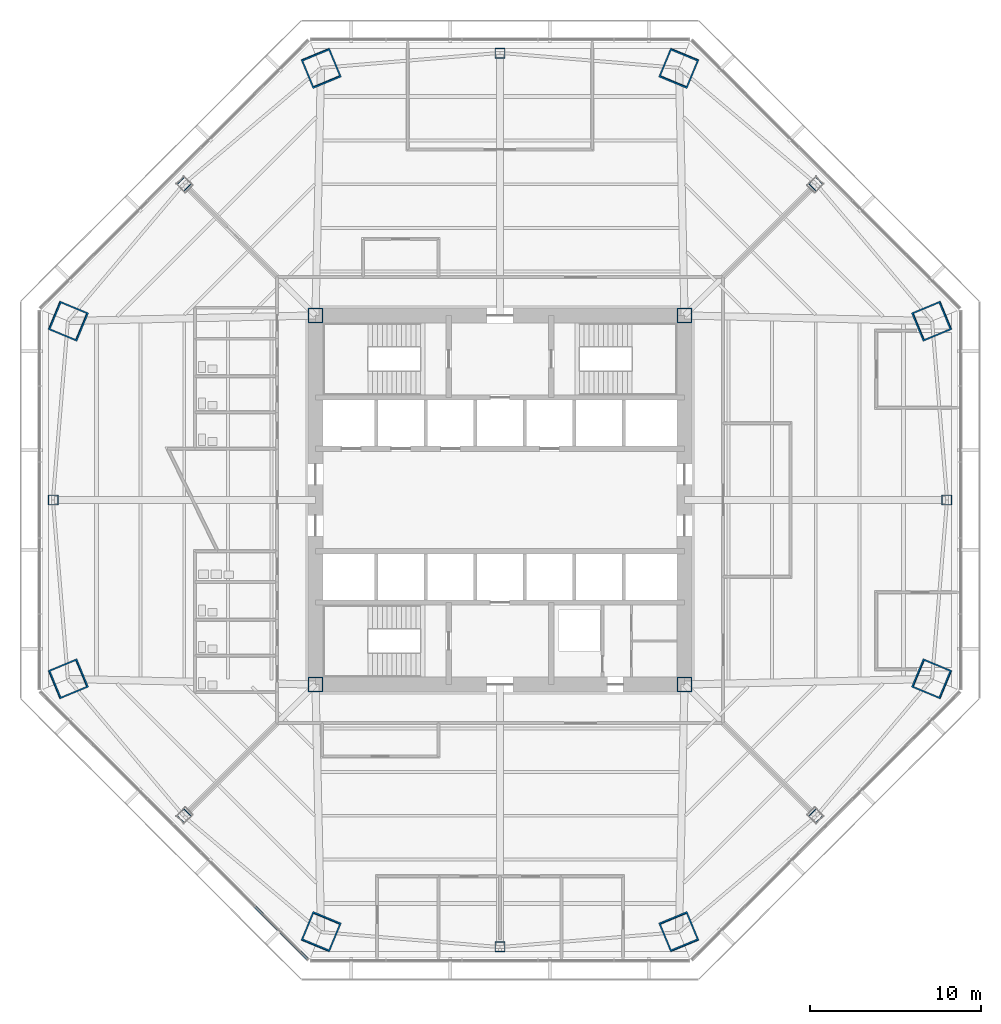
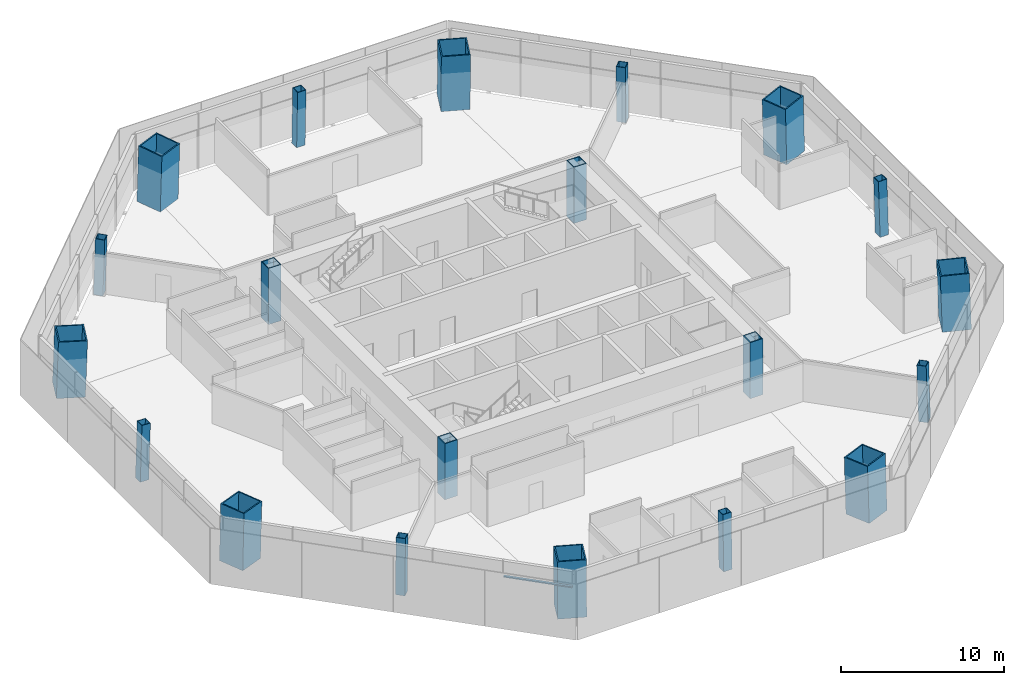
# One storey, part 1 of 15: 20 columns, 1 member, 1 element without a shape of its own.
"""IFC4 building model written with IfcOpenShell, lengths in metres."""

from ifc_helpers import new_model, si_unit, direction, frame, origin, origin_2d, place, context, subcontext, project, spatial, rectangle, hollow_rectangle, extrude, source, transform, mapped, material, material_profile, profile_set, type_object, type_shapes, element, aggregate, save


model = new_model("IFC4")

# Units and contexts
model_context = context("Model", 3, precision=1e-05, world=origin(), true_north=direction((0.0, 1.0)))
body_context = subcontext(model_context, "Body", "Model", "MODEL_VIEW")
ifc_project = project(units=[si_unit("LENGTHUNIT", "METRE"), si_unit("AREAUNIT", "SQUARE_METRE"), si_unit("VOLUMEUNIT", "CUBIC_METRE"), si_unit("PLANEANGLEUNIT", "RADIAN"), si_unit("MASSUNIT", "GRAM", prefix="KILO")], contexts=[model_context])

# Site, building, storey
site_placement = place(None, origin())
site = spatial("IfcSite", under=ifc_project, at=site_placement, CompositionType="ELEMENT")
building_placement = place(site_placement, origin())
building = spatial("IfcBuilding", under=site, at=building_placement, Name="Mashrafa Tower", CompositionType="ELEMENT")
storey_placement = place(building_placement, frame((0.0, 0.0, 37.199951171875)))
storey = spatial("IfcBuildingStorey", under=building, at=storey_placement, Name="L07", CompositionType="ELEMENT", Elevation=37.199951171875)

# Columns
ifc_material_1 = material(Name="Steel ASTM A572 Gr 50", Category="steel")
ifc_material_profile_1 = material_profile(ifc_material_1, hollow_rectangle(XDim=0.89990234375, YDim=0.89990234375, WallThickness=0.06005859375, at=origin_2d()), Name="BOX900X900X60")
ifc_profile_set_1 = profile_set([ifc_material_profile_1], Name="Steel ASTM A572 Gr 50")
column_type_1 = type_object("IfcColumnType", Name="Core corner column BOX900X900X60", PredefinedType="COLUMN", material=ifc_profile_set_1)
for number, where, z_axis, x_axis, name in (
    (1, (10.800048828125, 10.800048828125, 0.0), (0.0, 0.0, 1.0), (1.0, 0.0, 0.0), "Core corner column CC-NE L07"),
    (2, (-10.800048828125, 10.800048828125, 0.0), (0.0, 0.0, 1.0), (1.0, 0.0, 0.0), "Core corner column CC-NW L07"),
    (3, (-10.800048828125, -10.800048828125, 0.0), (0.0, 0.0, 1.0), (1.0, 0.0, 0.0), "Core corner column CC-SW L07"),
    (4, (10.800048828125, -10.800048828125, 0.0), (0.0, 0.0, 1.0), (1.0, 0.0, 0.0), "Core corner column CC-SE L07"),
):
    element("IfcColumn", number, at=place(storey_placement, frame(where, z_axis=z_axis, x_axis=x_axis)), inside=storey, type_object=column_type_1, Name=name, PredefinedType="COLUMN", context=body_context, shape_type="SweptSolid", body=[
        extrude(hollow_rectangle(XDim=0.89990234375, YDim=0.89990234375, WallThickness=0.06005859375, at=origin_2d()), origin(), (0.0, 0.0, 1.0), 4.199951171875),
    ])
ifc_material_2 = material(Name="Steel ASTM A572 Gr 50", Category="steel")
ifc_material_profile_2 = material_profile(ifc_material_2, hollow_rectangle(XDim=1.800048828125, YDim=1.800048828125, WallThickness=0.0849609375, at=origin_2d()), Name="BOX1800X1800X85")
ifc_profile_set_2 = profile_set([ifc_material_profile_2], Name="Steel ASTM A572 Gr 50")
column_type_2 = type_object("IfcColumnType", Name="Mega column CFST BOX1800X1800X85", PredefinedType="COLUMN", material=ifc_profile_set_2)
for number, where, z_axis, x_axis, name in (
    (5, (25.2841796875, 10.47314453125, 0.0), (-0.028295730207, -0.011736627314, 0.99953069149), (0.383133442967, -0.923693003589, 0.0), "Mega column MC1 L07"),
    (6, (10.47314453125, 25.2841796875, 0.0), (-0.011736627314, -0.028295730207, 0.99953069149), (0.923693003589, -0.383133442967, 0.0), "Mega column MC2 L07"),
    (7, (-10.47314453125, 25.2841796875, 0.0), (0.011736627314, -0.028295730207, 0.99953069149), (0.923693003589, 0.383133442967, 0.0), "Mega column MC3 L07"),
    (8, (-25.2841796875, 10.47314453125, 0.0), (0.028295730207, -0.011736627314, 0.99953069149), (0.383133442967, 0.923693003589, 0.0), "Mega column MC4 L07"),
    (9, (-25.2841796875, -10.47314453125, 0.0), (0.028295730207, 0.011736627314, 0.99953069149), (-0.383133442967, 0.923693003589, 0.0), "Mega column MC5 L07"),
    (10, (-10.47314453125, -25.2841796875, 0.0), (0.011736627314, 0.028295730207, 0.99953069149), (-0.923693003589, 0.383133442967, 0.0), "Mega column MC6 L07"),
    (11, (10.47314453125, -25.2841796875, 0.0), (-0.011736627314, 0.028295730207, 0.99953069149), (-0.923693003589, -0.383133442967, 0.0), "Mega column MC7 L07"),
    (12, (25.2841796875, -10.47314453125, 0.0), (-0.028295730207, 0.011736627314, 0.99953069149), (-0.383133442967, -0.923693003589, 0.0), "Mega column MC8 L07"),
):
    element("IfcColumn", number, at=place(storey_placement, frame(where, z_axis=z_axis, x_axis=x_axis)), inside=storey, type_object=column_type_2, Name=name, PredefinedType="COLUMN", context=body_context, shape_type="SweptSolid", body=[
        extrude(hollow_rectangle(XDim=1.800048828125, YDim=1.800048828125, WallThickness=0.0849609375, at=origin_2d()), origin(), (0.0, 0.0, 1.0), 4.201904296875),
    ])
ifc_material_3 = material(Name="Steel ASTM A572 Gr 50", Category="steel")
ifc_material_profile_3 = material_profile(ifc_material_3, hollow_rectangle(XDim=0.60009765625, YDim=0.60009765625, WallThickness=0.031982421875, at=origin_2d()), Name="BOX600X600X32")
ifc_profile_set_3 = profile_set([ifc_material_profile_3], Name="Steel ASTM A572 Gr 50")
column_type_3 = type_object("IfcColumnType", Name="Secondary column BOX600X600X32", PredefinedType="COLUMN", material=ifc_profile_set_3)
for number, where, z_axis, x_axis, name in (
    (13, (26.162353515625, 0.0, 0.0), (-0.028297679255, 0.0, 0.99959954049), (0.0, -1.0, 0.0), "Secondary column SC1 L07"),
    (14, (18.49951171875, 18.49951171875, 0.0), (-0.019988521213, -0.019988521213, 0.999600379171), (0.707106781187, -0.707106781187, 0.0), "Secondary column SC2 L07"),
    (15, (0.0, 26.162353515625, 0.0), (0.0, -0.028297679255, 0.99959954049), (1.0, 0.0, 0.0), "Secondary column SC3 L07"),
    (16, (-18.49951171875, 18.49951171875, 0.0), (0.019988521213, -0.019988521213, 0.999600379171), (0.707106781187, 0.707106781187, 0.0), "Secondary column SC4 L07"),
    (17, (-26.162353515625, 0.0, 0.0), (0.028297679255, 0.0, 0.99959954049), (0.0, 1.0, 0.0), "Secondary column SC5 L07"),
    (18, (-18.49951171875, -18.49951171875, 0.0), (0.019988521213, 0.019988521213, 0.999600379171), (-0.707106781187, 0.707106781187, 0.0), "Secondary column SC6 L07"),
    (19, (0.0, -26.162353515625, 0.0), (0.0, 0.028297679255, 0.99959954049), (-1.0, 0.0, 0.0), "Secondary column SC7 L07"),
    (20, (18.49951171875, -18.49951171875, 0.0), (-0.019988521213, 0.019988521213, 0.999600379171), (-0.707106781187, -0.707106781187, 0.0), "Secondary column SC8 L07"),
):
    element("IfcColumn", number, at=place(storey_placement, frame(where, z_axis=z_axis, x_axis=x_axis)), inside=storey, type_object=column_type_3, Name=name, PredefinedType="COLUMN", context=body_context, shape_type="SweptSolid", body=[
        extrude(hollow_rectangle(XDim=0.60009765625, YDim=0.60009765625, WallThickness=0.031982421875, at=origin_2d()), origin(), (0.0, 0.0, 1.0), 4.20166015625),
    ])

# Curtain wall, member
ifc_material_4 = material(Name="Unitised aluminium curtain wall", Category="aluminium")
curtain_wall_type = type_object("IfcCurtainWallType", Name="Office curtain wall, zone 1 CW-A 200 deep", PredefinedType="NOTDEFINED", material=ifc_material_4)
curtain_wall_placement = place(storey_placement, origin())
curtain_wall = element("IfcCurtainWall", 21, at=curtain_wall_placement, inside=storey, type_object=curtain_wall_type, Name="Office curtain wall, zone 1 L07 south-west", PredefinedType="NOTDEFINED")
ifc_material_5 = material(Name="Extruded aluminium transom", Category="aluminium")
ifc_material_profile_4 = material_profile(ifc_material_5, rectangle(XDim=0.159912109375, YDim=0.080078125, at=origin_2d()), Name="Transom 80x160")
ifc_profile_set_4 = profile_set([ifc_material_profile_4], Name="Extruded aluminium transom")
member_type = type_object("IfcMemberType", Name="Transom CW-A 80 x 160", PredefinedType="MULLION", material=ifc_profile_set_4)
shared_shape = source(origin(), body_context, "Body", "SweptSolid", [
    extrude(rectangle(XDim=0.159912109375, YDim=0.080078125, at=origin_2d()), origin(), (0.0, 0.0, 1.0), 4.349365234375),
])
type_shapes(member_type, [shared_shape])
member_placement = place(storey_placement, frame((-14.325927734375, -23.8046875, 3.0), z_axis=(0.707106781187, -0.707106781187, 0.0), x_axis=(0.707106781187, 0.707106781187, 0.0)))
member = element("IfcMember", 22, at=member_placement, type_object=member_type, Name="CW-A transom 5", PredefinedType="MULLION", context=body_context, shape_type="MappedRepresentation", body=[
    mapped(shared_shape, transform((0.0, 0.0, 0.0))),
])
aggregate(curtain_wall, [member])

save(model, "model.ifc")
